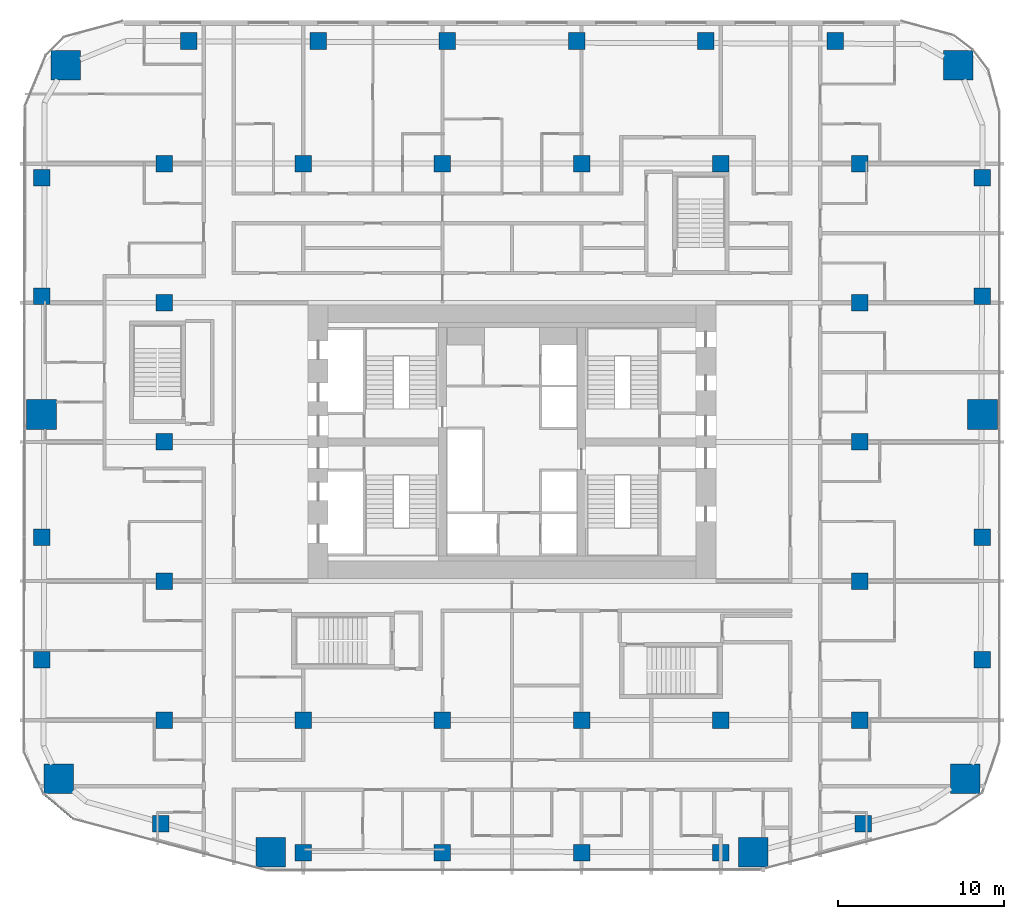
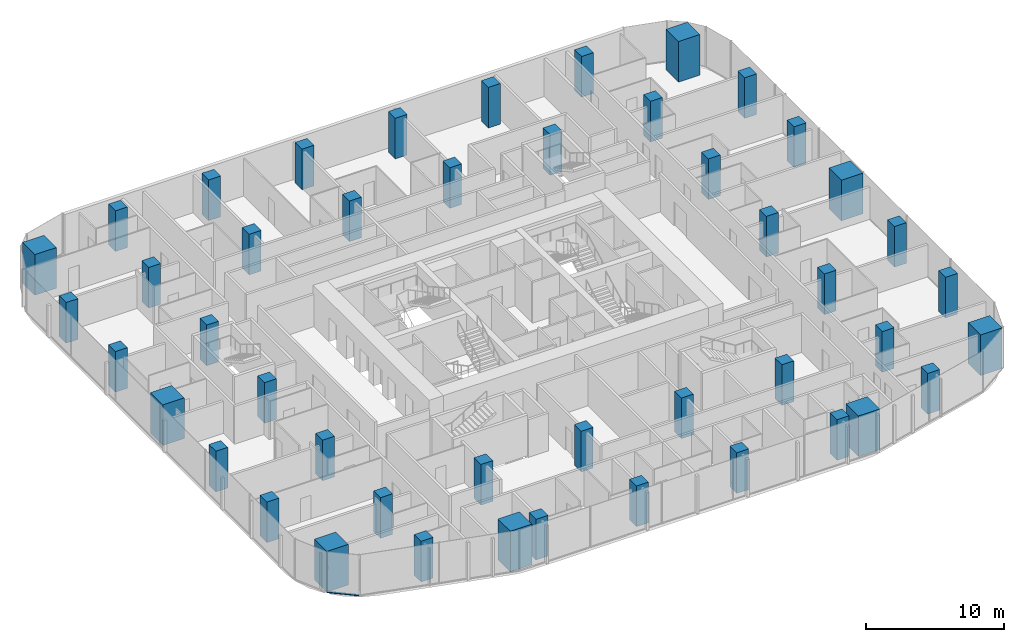
# One storey, part 1 of 26: 46 columns, 1 member, 1 element without a shape of its own.
"""IFC4 building model written with IfcOpenShell, lengths in metres."""

from ifc_helpers import new_model, si_unit, direction, frame, origin, origin_2d, place, context, subcontext, project, spatial, rectangle, extrude, material, layer, layer_set, material_profile, profile_set, type_object, element, aggregate, save


model = new_model("IFC4")

# Units and contexts
model_context = context("Model", 3, precision=1e-05, world=origin(), true_north=direction((0.0, 1.0)))
body_context = subcontext(model_context, "Body", "Model", "MODEL_VIEW")
ifc_project = project(units=[si_unit("LENGTHUNIT", "METRE"), si_unit("AREAUNIT", "SQUARE_METRE"), si_unit("VOLUMEUNIT", "CUBIC_METRE"), si_unit("PLANEANGLEUNIT", "RADIAN"), si_unit("MASSUNIT", "GRAM", prefix="KILO")], contexts=[model_context])

# Site, building, storey
site_placement = place(None, origin())
site = spatial("IfcSite", under=ifc_project, at=site_placement, CompositionType="ELEMENT")
building_placement = place(site_placement, origin())
building = spatial("IfcBuilding", under=site, at=building_placement, Name="Marenta Gate Hotel Tower", CompositionType="ELEMENT")
storey_placement = place(building_placement, frame((0.0, 0.0, 65.300048828125)))
storey = spatial("IfcBuildingStorey", under=building, at=storey_placement, Name="L14", CompositionType="ELEMENT", Elevation=65.300048828125)

# Columns
ifc_material_1 = material(Name="Concrete C80", Category="concrete")
ifc_material_profile_1 = material_profile(ifc_material_1, rectangle(XDim=1.0, YDim=1.0, at=origin_2d()), Name="1000 x 1000")
ifc_profile_set_1 = profile_set([ifc_material_profile_1], Name="Concrete C80")
column_type_1 = type_object("IfcColumnType", Name="Edge column 1000 x 1000 C80", PredefinedType="COLUMN", material=ifc_profile_set_1)
for number, where, z_axis, x_axis, name in (
    (1, (-28.39990234375, -4.751953125, 0.0), (0.0, 0.0, 1.0), (1.0, 0.0, 0.0), "L14-EC-SW-W-1"),
    (2, (-28.39990234375, 2.649169921875, 0.0), (0.0, 0.0, 1.0), (1.0, 0.0, 0.0), "L14-EC-SW-W-2"),
    (3, (-28.39990234375, 17.203125, 0.0), (0.0, 0.0, 1.0), (1.0, 0.0, 0.0), "L14-EC-W-NW-1"),
    (4, (-28.39990234375, 24.3564453125, 0.0), (0.0, 0.0, 1.0), (1.0, 0.0, 0.0), "L14-EC-W-NW-2"),
    (5, (-19.5068359375, 32.60009765625, 0.0), (0.0, 0.0, 1.0), (1.0, 0.0, 0.0), "L14-EC-NW-NE-1"),
    (6, (-11.7041015625, 32.60009765625, 0.0), (0.0, 0.0, 1.0), (1.0, 0.0, 0.0), "L14-EC-NW-NE-2"),
    (7, (-3.9013671875, 32.60009765625, 0.0), (0.0, 0.0, 1.0), (1.0, 0.0, 0.0), "L14-EC-NW-NE-3"),
    (8, (3.9013671875, 32.60009765625, 0.0), (0.0, 0.0, 1.0), (1.0, 0.0, 0.0), "L14-EC-NW-NE-4"),
    (9, (11.7041015625, 32.60009765625, 0.0), (0.0, 0.0, 1.0), (1.0, 0.0, 0.0), "L14-EC-NW-NE-5"),
    (10, (19.5068359375, 32.60009765625, 0.0), (0.0, 0.0, 1.0), (1.0, 0.0, 0.0), "L14-EC-NW-NE-6"),
    (11, (28.39990234375, 24.3564453125, 0.0), (0.0, 0.0, 1.0), (1.0, 0.0, 0.0), "L14-EC-NE-E-1"),
    (12, (28.39990234375, 17.203125, 0.0), (0.0, 0.0, 1.0), (1.0, 0.0, 0.0), "L14-EC-NE-E-2"),
    (13, (28.39990234375, 2.649169921875, 0.0), (0.0, 0.0, 1.0), (1.0, 0.0, 0.0), "L14-EC-E-SE-1"),
    (14, (28.39990234375, -4.751953125, 0.0), (0.0, 0.0, 1.0), (1.0, 0.0, 0.0), "L14-EC-E-SE-2"),
    (15, (21.206787109375, -14.63916015625, 0.0), (0.0, 0.0, 1.0), (1.0, 0.0, 0.0), "L14-EC-SE-SKE-1"),
    (16, (12.60009765625, -16.39990234375, 0.0), (0.0, 0.0, 1.0), (1.0, 0.0, 0.0), "L14-EC-SKE-SKW-1"),
    (17, (4.199951171875, -16.39990234375, 0.0), (0.0, 0.0, 1.0), (1.0, 0.0, 0.0), "L14-EC-SKE-SKW-2"),
    (18, (-4.199951171875, -16.39990234375, 0.0), (0.0, 0.0, 1.0), (1.0, 0.0, 0.0), "L14-EC-SKE-SKW-3"),
    (19, (-12.60009765625, -16.39990234375, 0.0), (0.0, 0.0, 1.0), (1.0, 0.0, 0.0), "L14-EC-SKE-SKW-4"),
    (20, (-21.206787109375, -14.63916015625, 0.0), (0.0, 0.0, 1.0), (1.0, 0.0, 0.0), "L14-EC-SKW-SW-1"),
):
    element("IfcColumn", number, at=place(storey_placement, frame(where, z_axis=z_axis, x_axis=x_axis)), inside=storey, type_object=column_type_1, Name=name, PredefinedType="COLUMN", context=body_context, shape_type="SweptSolid", body=[
        extrude(rectangle(XDim=1.0, YDim=1.0, at=origin_2d()), origin(), (0.0, 0.0, 1.0), 3.599853515625),
    ])
ifc_material_2 = material(Name="Concrete C80", Category="concrete")
ifc_material_profile_2 = material_profile(ifc_material_2, rectangle(XDim=1.0, YDim=1.0, at=origin_2d()), Name="1000 x 1000")
ifc_profile_set_2 = profile_set([ifc_material_profile_2], Name="Concrete C80")
column_type_2 = type_object("IfcColumnType", Name="Interior column 1000 x 1000 C80", PredefinedType="COLUMN", material=ifc_profile_set_2)
for number, where, z_axis, x_axis, name in (
    (21, (-21.0, -8.39990234375, 0.0), (0.0, 0.0, 1.0), (1.0, 0.0, 0.0), "L14-IC-4E"),
    (22, (-21.0, 0.0, 0.0), (0.0, 0.0, 1.0), (1.0, 0.0, 0.0), "L14-IC-4F"),
    (23, (-21.0, 8.39990234375, 0.0), (0.0, 0.0, 1.0), (1.0, 0.0, 0.0), "L14-IC-4G"),
    (24, (-21.0, 16.800048828125, 0.0), (0.0, 0.0, 1.0), (1.0, 0.0, 0.0), "L14-IC-4H"),
    (25, (-21.0, 25.199951171875, 0.0), (0.0, 0.0, 1.0), (1.0, 0.0, 0.0), "L14-IC-4I"),
    (26, (-12.60009765625, -8.39990234375, 0.0), (0.0, 0.0, 1.0), (1.0, 0.0, 0.0), "L14-IC-5E"),
    (27, (-12.60009765625, 25.199951171875, 0.0), (0.0, 0.0, 1.0), (1.0, 0.0, 0.0), "L14-IC-5I"),
    (28, (-4.199951171875, -8.39990234375, 0.0), (0.0, 0.0, 1.0), (1.0, 0.0, 0.0), "L14-IC-6E"),
    (29, (-4.199951171875, 25.199951171875, 0.0), (0.0, 0.0, 1.0), (1.0, 0.0, 0.0), "L14-IC-6I"),
    (30, (4.199951171875, -8.39990234375, 0.0), (0.0, 0.0, 1.0), (1.0, 0.0, 0.0), "L14-IC-7E"),
    (31, (4.199951171875, 25.199951171875, 0.0), (0.0, 0.0, 1.0), (1.0, 0.0, 0.0), "L14-IC-7I"),
    (32, (12.60009765625, -8.39990234375, 0.0), (0.0, 0.0, 1.0), (1.0, 0.0, 0.0), "L14-IC-8E"),
    (33, (12.60009765625, 25.199951171875, 0.0), (0.0, 0.0, 1.0), (1.0, 0.0, 0.0), "L14-IC-8I"),
    (34, (21.0, -8.39990234375, 0.0), (0.0, 0.0, 1.0), (1.0, 0.0, 0.0), "L14-IC-9E"),
    (35, (21.0, 0.0, 0.0), (0.0, 0.0, 1.0), (1.0, 0.0, 0.0), "L14-IC-9F"),
    (36, (21.0, 8.39990234375, 0.0), (0.0, 0.0, 1.0), (1.0, 0.0, 0.0), "L14-IC-9G"),
    (37, (21.0, 16.800048828125, 0.0), (0.0, 0.0, 1.0), (1.0, 0.0, 0.0), "L14-IC-9H"),
    (38, (21.0, 25.199951171875, 0.0), (0.0, 0.0, 1.0), (1.0, 0.0, 0.0), "L14-IC-9I"),
):
    element("IfcColumn", number, at=place(storey_placement, frame(where, z_axis=z_axis, x_axis=x_axis)), inside=storey, type_object=column_type_2, Name=name, PredefinedType="COLUMN", context=body_context, shape_type="SweptSolid", body=[
        extrude(rectangle(XDim=1.0, YDim=1.0, at=origin_2d()), origin(), (0.0, 0.0, 1.0), 3.599853515625),
    ])
ifc_material_3 = material(Name="Concrete C80", Category="concrete")
ifc_material_profile_3 = material_profile(ifc_material_3, rectangle(XDim=1.800048828125, YDim=1.800048828125, at=origin_2d()), Name="1800 x 1800")
ifc_profile_set_3 = profile_set([ifc_material_profile_3], Name="Concrete C80")
column_type_3 = type_object("IfcColumnType", Name="Mega column 1800 x 1800 C80", PredefinedType="COLUMN", material=ifc_profile_set_3)
for number, where, z_axis, x_axis, name in (
    (39, (-27.363037109375, -11.93310546875, 0.0), (0.0, 0.0, 1.0), (1.0, 0.0, 0.0), "L14-MC-SW"),
    (40, (-14.56640625, -16.374755859375, 0.0), (0.0, 0.0, 1.0), (1.0, 0.0, 0.0), "L14-MC-SKW"),
    (41, (14.56640625, -16.374755859375, 0.0), (0.0, 0.0, 1.0), (1.0, 0.0, 0.0), "L14-MC-SKE"),
    (42, (27.363037109375, -11.93310546875, 0.0), (0.0, 0.0, 1.0), (1.0, 0.0, 0.0), "L14-MC-SE"),
    (43, (28.39990234375, 10.050048828125, 0.0), (0.0, 0.0, 1.0), (1.0, 0.0, 0.0), "L14-MC-E"),
    (44, (26.935546875, 31.135498046875, 0.0), (0.0, 0.0, 1.0), (1.0, 0.0, 0.0), "L14-MC-NE"),
    (45, (-26.935546875, 31.135498046875, 0.0), (0.0, 0.0, 1.0), (1.0, 0.0, 0.0), "L14-MC-NW"),
    (46, (-28.39990234375, 10.050048828125, 0.0), (0.0, 0.0, 1.0), (1.0, 0.0, 0.0), "L14-MC-W"),
):
    element("IfcColumn", number, at=place(storey_placement, frame(where, z_axis=z_axis, x_axis=x_axis)), inside=storey, type_object=column_type_3, Name=name, PredefinedType="COLUMN", context=body_context, shape_type="SweptSolid", body=[
        extrude(rectangle(XDim=1.800048828125, YDim=1.800048828125, at=origin_2d()), origin(), (0.0, 0.0, 1.0), 3.599853515625),
    ])

# Curtain wall, member
ifc_material_4 = material(Name="Tinted insulated glass in bronze anodised frame", Category="glass")
ifc_layer = layer(ifc_material_4, 0.1201171875)
ifc_layer_set = layer_set([ifc_layer], Name="Tinted insulated glass in bronze anodised frame")
curtain_wall_type = type_object("IfcCurtainWallType", Name="Tower unitised curtain wall CW1", PredefinedType="NOTDEFINED", material=ifc_layer_set)
curtain_wall_placement = place(storey_placement, origin())
curtain_wall = element("IfcCurtainWall", 47, at=curtain_wall_placement, inside=storey, type_object=curtain_wall_type, Name="CW1 run G05", PredefinedType="NOTDEFINED")
ifc_material_5 = material(Name="Bronze anodised aluminium", Category="aluminium")
ifc_material_profile_4 = material_profile(ifc_material_5, rectangle(XDim=0.1201171875, YDim=0.06005859375, at=origin_2d()), Name="Transom CW1 60x120 bronze anodised aluminium")
ifc_profile_set_4 = profile_set([ifc_material_profile_4], Name="Bronze anodised aluminium")
member_type = type_object("IfcMemberType", Name="Transom CW1 60x120 bronze anodised aluminium", PredefinedType="USERDEFINED", material=ifc_profile_set_4)
member_placement = place(storey_placement, frame((-28.228271484375, -12.880126953125, 0.030029296875), z_axis=(0.767079699321, -0.641551817775, 0.0), x_axis=(0.641551817775, 0.767079699321, 0.0)))
member = element("IfcMember", 48, at=member_placement, type_object=member_type, Name="CW1 transom 1.1", ObjectType="TRANSOM", PredefinedType="USERDEFINED", context=body_context, shape_type="SweptSolid", body=[
    extrude(rectangle(XDim=0.1201171875, YDim=0.06005859375, at=origin_2d()), origin(), (0.0, 0.0, 1.0), 2.31640625),
])
aggregate(curtain_wall, [member])

save(model, "model.ifc")
